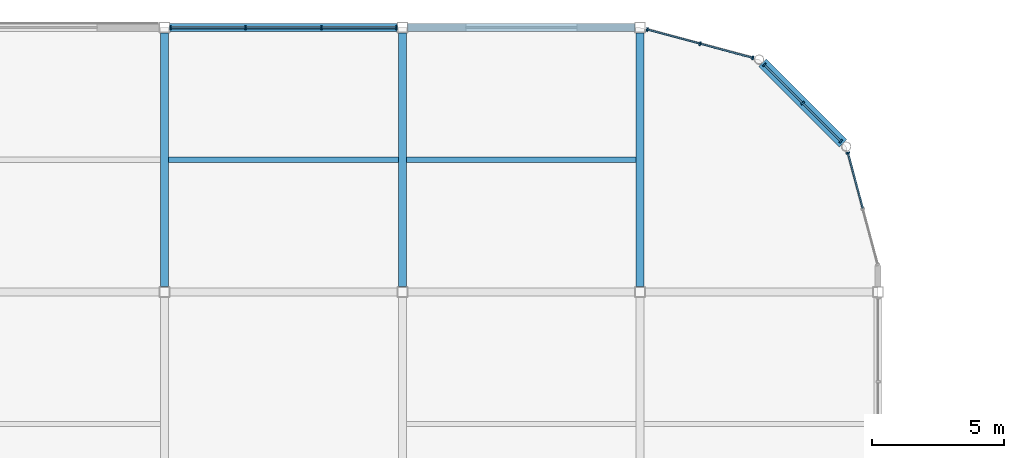
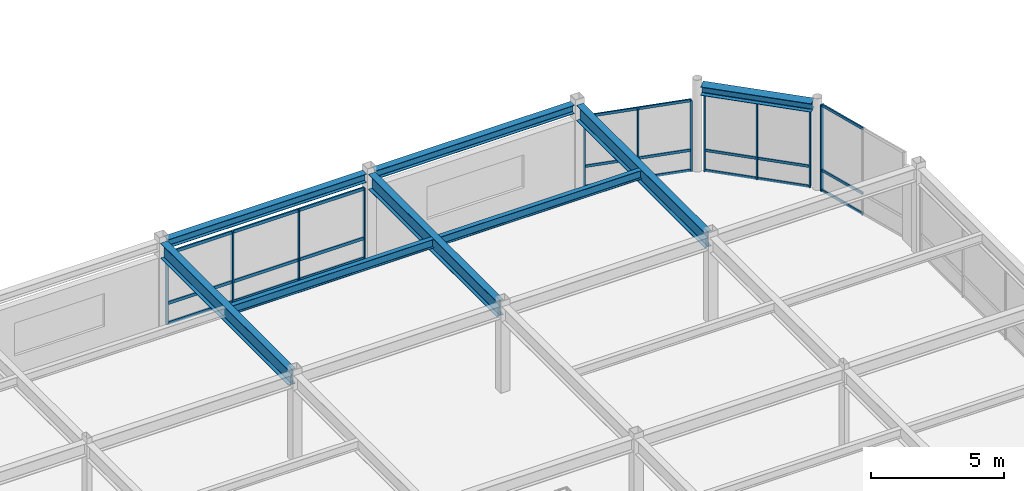
# One storey, part 51 of 108: 35 members, 8 beams, 4 elements without a shape of their own.
"""IFC4 building model written with IfcOpenShell, lengths in metres."""

from ifc_helpers import new_model, si_unit, direction, frame, origin, origin_2d, place, context, subcontext, project, spatial, rectangle, i_section, extrude, material, material_profile, profile_set, type_object, element, aggregate, save


model = new_model("IFC4")

# Units and contexts
model_context = context("Model", 3, precision=1e-05, world=origin(), true_north=direction((0.0, 1.0)))
body_context = subcontext(model_context, "Body", "Model", "MODEL_VIEW")
ifc_project = project(units=[si_unit("LENGTHUNIT", "METRE"), si_unit("AREAUNIT", "SQUARE_METRE"), si_unit("VOLUMEUNIT", "CUBIC_METRE"), si_unit("PLANEANGLEUNIT", "RADIAN"), si_unit("MASSUNIT", "GRAM", prefix="KILO")], contexts=[model_context])

# Site, building, storey
site_placement = place(None, origin())
site = spatial("IfcSite", under=ifc_project, at=site_placement, CompositionType="ELEMENT")
building_placement = place(site_placement, origin())
building = spatial("IfcBuilding", under=site, at=building_placement, Name="Suzunagisa Mobility Hub", CompositionType="ELEMENT")
storey_placement = place(building_placement, frame((0.0, 0.0, 9.300048828125)))
storey = spatial("IfcBuildingStorey", under=building, at=storey_placement, Name="L02", CompositionType="ELEMENT", Elevation=9.300048828125)

# Curtain wall, members
ifc_material_1 = material(Name="Thermally Broken Anodized Aluminum and Low-E Glazing", Category="aluminium")
curtain_wall_type_1 = type_object("IfcCurtainWallType", Name="Unitised Curtain Wall CW-18 8500x3200", PredefinedType="USERDEFINED", material=ifc_material_1)
curtain_wall_1_placement = place(storey_placement, origin())
curtain_wall_1 = element("IfcCurtainWall", 1, at=curtain_wall_1_placement, inside=storey, type_object=curtain_wall_type_1, Name="L02 Unitised Curtain Wall CW-116", ObjectType="UNITISED CURTAIN WALL", PredefinedType="USERDEFINED")
ifc_material_2 = material(Name="Anodized Aluminum 6063-T6", Category="aluminium")
ifc_material_profile_1 = material_profile(ifc_material_2, rectangle(XDim=0.06494140625, YDim=0.139892578125, at=origin_2d()), Name="TRAN-65x140")
ifc_profile_set_1 = profile_set([ifc_material_profile_1], Name="Anodized Aluminum 6063-T6")
member_type_1 = type_object("IfcMemberType", Name="Curtain Wall Framing CM-01 TRAN-65x140", PredefinedType="USERDEFINED", material=ifc_profile_set_1)
member_1_placement = place(storey_placement, frame((107.741943359375, 118.0, 0.032470703125), z_axis=(-1.0, 0.0, 0.0), x_axis=(0.0, -1.0, 0.0)))
member_1 = element("IfcMember", 2, at=member_1_placement, type_object=member_type_1, Name="Curtain Wall Transom 116-T1.1", ObjectType="TRANSOM", PredefinedType="USERDEFINED", context=body_context, shape_type="SweptSolid", body=[
    extrude(rectangle(XDim=0.06494140625, YDim=0.139892578125, at=origin_2d()), origin(), (0.0, 0.0, 1.0), 2.78076171875),
])
member_2_placement = place(storey_placement, frame((107.741943359375, 118.0, 0.949951171875), z_axis=(-1.0, 0.0, 0.0), x_axis=(0.0, -1.0, 0.0)))
member_2 = element("IfcMember", 3, at=member_2_placement, type_object=member_type_1, Name="Curtain Wall Transom 116-T1.2", ObjectType="TRANSOM", PredefinedType="USERDEFINED", context=body_context, shape_type="SweptSolid", body=[
    extrude(rectangle(XDim=0.06494140625, YDim=0.139892578125, at=origin_2d()), origin(), (0.0, 0.0, 1.0), 2.78076171875),
])
member_3_placement = place(storey_placement, frame((107.741943359375, 118.0, 3.217529296875), z_axis=(-1.0, 0.0, 0.0), x_axis=(0.0, -1.0, 0.0)))
member_3 = element("IfcMember", 4, at=member_3_placement, type_object=member_type_1, Name="Curtain Wall Transom 116-T1.3", ObjectType="TRANSOM", PredefinedType="USERDEFINED", context=body_context, shape_type="SweptSolid", body=[
    extrude(rectangle(XDim=0.06494140625, YDim=0.139892578125, at=origin_2d()), origin(), (0.0, 0.0, 1.0), 2.78076171875),
])
member_4_placement = place(storey_placement, frame((104.9052734375, 118.0, 0.032470703125), z_axis=(-1.0, 0.0, 0.0), x_axis=(0.0, -1.0, 0.0)))
member_4 = element("IfcMember", 5, at=member_4_placement, type_object=member_type_1, Name="Curtain Wall Transom 116-T2.1", ObjectType="TRANSOM", PredefinedType="USERDEFINED", context=body_context, shape_type="SweptSolid", body=[
    extrude(rectangle(XDim=0.06494140625, YDim=0.139892578125, at=origin_2d()), origin(), (0.0, 0.0, 1.0), 2.810546875),
])
member_5_placement = place(storey_placement, frame((104.9052734375, 118.0, 0.949951171875), z_axis=(-1.0, 0.0, 0.0), x_axis=(0.0, -1.0, 0.0)))
member_5 = element("IfcMember", 6, at=member_5_placement, type_object=member_type_1, Name="Curtain Wall Transom 116-T2.2", ObjectType="TRANSOM", PredefinedType="USERDEFINED", context=body_context, shape_type="SweptSolid", body=[
    extrude(rectangle(XDim=0.06494140625, YDim=0.139892578125, at=origin_2d()), origin(), (0.0, 0.0, 1.0), 2.810546875),
])
member_6_placement = place(storey_placement, frame((104.9052734375, 118.0, 3.217529296875), z_axis=(-1.0, 0.0, 0.0), x_axis=(0.0, -1.0, 0.0)))
member_6 = element("IfcMember", 7, at=member_6_placement, type_object=member_type_1, Name="Curtain Wall Transom 116-T2.3", ObjectType="TRANSOM", PredefinedType="USERDEFINED", context=body_context, shape_type="SweptSolid", body=[
    extrude(rectangle(XDim=0.06494140625, YDim=0.139892578125, at=origin_2d()), origin(), (0.0, 0.0, 1.0), 2.810546875),
])
member_7_placement = place(storey_placement, frame((102.038818359375, 118.0, 0.032470703125), z_axis=(-1.0, 0.0, 0.0), x_axis=(0.0, -1.0, 0.0)))
member_7 = element("IfcMember", 8, at=member_7_placement, type_object=member_type_1, Name="Curtain Wall Transom 116-T3.1", ObjectType="TRANSOM", PredefinedType="USERDEFINED", context=body_context, shape_type="SweptSolid", body=[
    extrude(rectangle(XDim=0.06494140625, YDim=0.139892578125, at=origin_2d()), origin(), (0.0, 0.0, 1.0), 2.78076171875),
])
member_8_placement = place(storey_placement, frame((102.038818359375, 118.0, 0.949951171875), z_axis=(-1.0, 0.0, 0.0), x_axis=(0.0, -1.0, 0.0)))
member_8 = element("IfcMember", 9, at=member_8_placement, type_object=member_type_1, Name="Curtain Wall Transom 116-T3.2", ObjectType="TRANSOM", PredefinedType="USERDEFINED", context=body_context, shape_type="SweptSolid", body=[
    extrude(rectangle(XDim=0.06494140625, YDim=0.139892578125, at=origin_2d()), origin(), (0.0, 0.0, 1.0), 2.78076171875),
])
member_9_placement = place(storey_placement, frame((102.038818359375, 118.0, 3.217529296875), z_axis=(-1.0, 0.0, 0.0), x_axis=(0.0, -1.0, 0.0)))
member_9 = element("IfcMember", 10, at=member_9_placement, type_object=member_type_1, Name="Curtain Wall Transom 116-T3.3", ObjectType="TRANSOM", PredefinedType="USERDEFINED", context=body_context, shape_type="SweptSolid", body=[
    extrude(rectangle(XDim=0.06494140625, YDim=0.139892578125, at=origin_2d()), origin(), (0.0, 0.0, 1.0), 2.78076171875),
])

curtain_wall_type_2 = type_object("IfcCurtainWallType", Name="Unitised Curtain Wall CW-42 4500x4000", PredefinedType="USERDEFINED", material=ifc_material_1)
curtain_wall_2_placement = place(storey_placement, origin())
curtain_wall_2 = element("IfcCurtainWall", 11, at=curtain_wall_2_placement, inside=storey, type_object=curtain_wall_type_2, Name="L02 Unitised Curtain Wall CW-113", ObjectType="UNITISED CURTAIN WALL", PredefinedType="USERDEFINED")
ifc_material_profile_2 = material_profile(ifc_material_2, rectangle(XDim=0.06005859375, YDim=0.1201171875, at=origin_2d()), Name="TRAN-60x120")
ifc_profile_set_2 = profile_set([ifc_material_profile_2], Name="Anodized Aluminum 6063-T6")
member_type_2 = type_object("IfcMemberType", Name="Curtain Wall Framing CM-02 TRAN-60x120", PredefinedType="USERDEFINED", material=ifc_profile_set_2)
member_10_placement = place(storey_placement, frame((125.41796875, 111.171875, 0.030029296875), z_axis=(-0.258837087522, 0.965920991657, 0.0), x_axis=(-0.965920991657, -0.258837087522, 0.0)))
member_10 = element("IfcMember", 12, at=member_10_placement, type_object=member_type_2, Name="Curtain Wall Transom 113-T2.1", ObjectType="TRANSOM", PredefinedType="USERDEFINED", context=body_context, shape_type="SweptSolid", body=[
    extrude(rectangle(XDim=0.06005859375, YDim=0.1201171875, at=origin_2d()), origin(), (0.0, 0.0, 1.0), 2.134521484375),
])
member_11_placement = place(storey_placement, frame((125.41796875, 111.171875, 0.949951171875), z_axis=(-0.258837087522, 0.965920991657, 0.0), x_axis=(-0.965920991657, -0.258837087522, 0.0)))
member_11 = element("IfcMember", 13, at=member_11_placement, type_object=member_type_2, Name="Curtain Wall Transom 113-T2.2", ObjectType="TRANSOM", PredefinedType="USERDEFINED", context=body_context, shape_type="SweptSolid", body=[
    extrude(rectangle(XDim=0.06005859375, YDim=0.1201171875, at=origin_2d()), origin(), (0.0, 0.0, 1.0), 2.134521484375),
])
member_12_placement = place(storey_placement, frame((125.41796875, 111.171875, 3.919921875), z_axis=(-0.258837087522, 0.965920991657, 0.0), x_axis=(-0.965920991657, -0.258837087522, 0.0)))
member_12 = element("IfcMember", 14, at=member_12_placement, type_object=member_type_2, Name="Curtain Wall Transom 113-T2.3", ObjectType="TRANSOM", PredefinedType="USERDEFINED", context=body_context, shape_type="SweptSolid", body=[
    extrude(rectangle(XDim=0.06005859375, YDim=0.1201171875, at=origin_2d()), origin(), (0.0, 0.0, 1.0), 2.134521484375),
])

curtain_wall_type_3 = type_object("IfcCurtainWallType", Name="Unitised Curtain Wall CW-44 4250x3600", PredefinedType="USERDEFINED", material=ifc_material_1)
curtain_wall_3_placement = place(storey_placement, origin())
curtain_wall_3 = element("IfcCurtainWall", 15, at=curtain_wall_3_placement, inside=storey, type_object=curtain_wall_type_3, Name="L02 Unitised Curtain Wall CW-114", ObjectType="UNITISED CURTAIN WALL", PredefinedType="USERDEFINED")
member_13_placement = place(storey_placement, frame((124.575439453125, 113.71875, 0.030029296875), z_axis=(-0.707106781187, 0.707106781187, 0.0), x_axis=(-0.707106781187, -0.707106781187, 0.0)))
member_13 = element("IfcMember", 16, at=member_13_placement, type_object=member_type_2, Name="Curtain Wall Transom 114-T1.1", ObjectType="TRANSOM", PredefinedType="USERDEFINED", context=body_context, shape_type="SweptSolid", body=[
    extrude(rectangle(XDim=0.06005859375, YDim=0.1201171875, at=origin_2d()), origin(), (0.0, 0.0, 1.0), 1.991943359375),
])
member_14_placement = place(storey_placement, frame((124.575439453125, 113.71875, 0.949951171875), z_axis=(-0.707106781187, 0.707106781187, 0.0), x_axis=(-0.707106781187, -0.707106781187, 0.0)))
member_14 = element("IfcMember", 17, at=member_14_placement, type_object=member_type_2, Name="Curtain Wall Transom 114-T1.2", ObjectType="TRANSOM", PredefinedType="USERDEFINED", context=body_context, shape_type="SweptSolid", body=[
    extrude(rectangle(XDim=0.06005859375, YDim=0.1201171875, at=origin_2d()), origin(), (0.0, 0.0, 1.0), 1.991943359375),
])
member_15_placement = place(storey_placement, frame((124.575439453125, 113.71875, 3.52001953125), z_axis=(-0.707106781187, 0.707106781187, 0.0), x_axis=(-0.707106781187, -0.707106781187, 0.0)))
member_15 = element("IfcMember", 18, at=member_15_placement, type_object=member_type_2, Name="Curtain Wall Transom 114-T1.3", ObjectType="TRANSOM", PredefinedType="USERDEFINED", context=body_context, shape_type="SweptSolid", body=[
    extrude(rectangle(XDim=0.06005859375, YDim=0.1201171875, at=origin_2d()), origin(), (0.0, 0.0, 1.0), 1.991943359375),
])
member_16_placement = place(storey_placement, frame((123.127197265625, 115.1669921875, 0.030029296875), z_axis=(-0.707106781187, 0.707106781187, 0.0), x_axis=(-0.707106781187, -0.707106781187, 0.0)))
member_16 = element("IfcMember", 19, at=member_16_placement, type_object=member_type_2, Name="Curtain Wall Transom 114-T2.1", ObjectType="TRANSOM", PredefinedType="USERDEFINED", context=body_context, shape_type="SweptSolid", body=[
    extrude(rectangle(XDim=0.06005859375, YDim=0.1201171875, at=origin_2d()), origin(), (0.0, 0.0, 1.0), 1.991943359375),
])
member_17_placement = place(storey_placement, frame((123.127197265625, 115.1669921875, 0.949951171875), z_axis=(-0.707106781187, 0.707106781187, 0.0), x_axis=(-0.707106781187, -0.707106781187, 0.0)))
member_17 = element("IfcMember", 20, at=member_17_placement, type_object=member_type_2, Name="Curtain Wall Transom 114-T2.2", ObjectType="TRANSOM", PredefinedType="USERDEFINED", context=body_context, shape_type="SweptSolid", body=[
    extrude(rectangle(XDim=0.06005859375, YDim=0.1201171875, at=origin_2d()), origin(), (0.0, 0.0, 1.0), 1.991943359375),
])
member_18_placement = place(storey_placement, frame((123.127197265625, 115.1669921875, 3.52001953125), z_axis=(-0.707106781187, 0.707106781187, 0.0), x_axis=(-0.707106781187, -0.707106781187, 0.0)))
member_18 = element("IfcMember", 21, at=member_18_placement, type_object=member_type_2, Name="Curtain Wall Transom 114-T2.3", ObjectType="TRANSOM", PredefinedType="USERDEFINED", context=body_context, shape_type="SweptSolid", body=[
    extrude(rectangle(XDim=0.06005859375, YDim=0.1201171875, at=origin_2d()), origin(), (0.0, 0.0, 1.0), 1.991943359375),
])

curtain_wall_type_4 = type_object("IfcCurtainWallType", Name="Unitised Curtain Wall CW-01 4250x3200", PredefinedType="USERDEFINED", material=ifc_material_1)
curtain_wall_4_placement = place(storey_placement, origin())
curtain_wall_4 = element("IfcCurtainWall", 22, at=curtain_wall_4_placement, inside=storey, type_object=curtain_wall_type_4, Name="L02 Unitised Curtain Wall CW-115", ObjectType="UNITISED CURTAIN WALL", PredefinedType="USERDEFINED")
member_19_placement = place(storey_placement, frame((121.233642578125, 116.865478515625, 0.030029296875), z_axis=(-0.965891707476, 0.258946344693, 0.0), x_axis=(-0.258946344693, -0.965891707476, 0.0)))
member_19 = element("IfcMember", 23, at=member_19_placement, type_object=member_type_2, Name="Curtain Wall Transom 115-T1.1", ObjectType="TRANSOM", PredefinedType="USERDEFINED", context=body_context, shape_type="SweptSolid", body=[
    extrude(rectangle(XDim=0.06005859375, YDim=0.1201171875, at=origin_2d()), origin(), (0.0, 0.0, 1.0), 2.011962890625),
])
member_20_placement = place(storey_placement, frame((121.233642578125, 116.865478515625, 0.949951171875), z_axis=(-0.965891707476, 0.258946344693, 0.0), x_axis=(-0.258946344693, -0.965891707476, 0.0)))
member_20 = element("IfcMember", 24, at=member_20_placement, type_object=member_type_2, Name="Curtain Wall Transom 115-T1.2", ObjectType="TRANSOM", PredefinedType="USERDEFINED", context=body_context, shape_type="SweptSolid", body=[
    extrude(rectangle(XDim=0.06005859375, YDim=0.1201171875, at=origin_2d()), origin(), (0.0, 0.0, 1.0), 2.011962890625),
])
member_21_placement = place(storey_placement, frame((121.233642578125, 116.865478515625, 3.219970703125), z_axis=(-0.965891707476, 0.258946344693, 0.0), x_axis=(-0.258946344693, -0.965891707476, 0.0)))
member_21 = element("IfcMember", 25, at=member_21_placement, type_object=member_type_2, Name="Curtain Wall Transom 115-T1.3", ObjectType="TRANSOM", PredefinedType="USERDEFINED", context=body_context, shape_type="SweptSolid", body=[
    extrude(rectangle(XDim=0.06005859375, YDim=0.1201171875, at=origin_2d()), origin(), (0.0, 0.0, 1.0), 2.011962890625),
])
member_22_placement = place(storey_placement, frame((119.236083984375, 117.40087890625, 0.030029296875), z_axis=(-0.965930179601, 0.258802797775, 0.0), x_axis=(-0.258802797775, -0.965930179601, 0.0)))
member_22 = element("IfcMember", 26, at=member_22_placement, type_object=member_type_2, Name="Curtain Wall Transom 115-T2.1", ObjectType="TRANSOM", PredefinedType="USERDEFINED", context=body_context, shape_type="SweptSolid", body=[
    extrude(rectangle(XDim=0.06005859375, YDim=0.1201171875, at=origin_2d()), origin(), (0.0, 0.0, 1.0), 2.01220703125),
])
member_23_placement = place(storey_placement, frame((119.236083984375, 117.40087890625, 0.949951171875), z_axis=(-0.965930179601, 0.258802797775, 0.0), x_axis=(-0.258802797775, -0.965930179601, 0.0)))
member_23 = element("IfcMember", 27, at=member_23_placement, type_object=member_type_2, Name="Curtain Wall Transom 115-T2.2", ObjectType="TRANSOM", PredefinedType="USERDEFINED", context=body_context, shape_type="SweptSolid", body=[
    extrude(rectangle(XDim=0.06005859375, YDim=0.1201171875, at=origin_2d()), origin(), (0.0, 0.0, 1.0), 2.01220703125),
])
member_24_placement = place(storey_placement, frame((119.236083984375, 117.40087890625, 3.219970703125), z_axis=(-0.965930179601, 0.258802797775, 0.0), x_axis=(-0.258802797775, -0.965930179601, 0.0)))
member_24 = element("IfcMember", 28, at=member_24_placement, type_object=member_type_2, Name="Curtain Wall Transom 115-T2.3", ObjectType="TRANSOM", PredefinedType="USERDEFINED", context=body_context, shape_type="SweptSolid", body=[
    extrude(rectangle(XDim=0.06005859375, YDim=0.1201171875, at=origin_2d()), origin(), (0.0, 0.0, 1.0), 2.01220703125),
])

# Member
ifc_material_profile_3 = material_profile(ifc_material_2, rectangle(XDim=0.06005859375, YDim=0.14990234375, at=origin_2d()), Name="MULL-60x150")
ifc_profile_set_3 = profile_set([ifc_material_profile_3], Name="Anodized Aluminum 6063-T6")
member_type_3 = type_object("IfcMemberType", Name="Curtain Wall Framing CM-03 MULL-60x150", PredefinedType="MULLION", material=ifc_profile_set_3)
member_25_placement = place(storey_placement, frame((124.8583984375, 113.2607421875, 0.0), z_axis=(0.0, 0.0, 1.0), x_axis=(-0.258814496501, 0.965927045072, 0.0)))
member_25 = element("IfcMember", 29, at=member_25_placement, type_object=member_type_3, Name="Curtain Wall Mullion 113-M3", PredefinedType="MULLION", context=body_context, shape_type="SweptSolid", body=[
    extrude(rectangle(XDim=0.06005859375, YDim=0.14990234375, at=origin_2d()), origin(), (0.0, 0.0, 1.0), 3.949951171875),
])

aggregate(curtain_wall_2, [member_25, member_10, member_11, member_12])

member_26_placement = place(storey_placement, frame((124.59521484375, 113.698974609375, 0.0), z_axis=(0.0, 0.0, 1.0), x_axis=(-0.707106781187, 0.707106781187, 0.0)))
member_26 = element("IfcMember", 30, at=member_26_placement, type_object=member_type_3, Name="Curtain Wall Mullion 114-M1", PredefinedType="MULLION", context=body_context, shape_type="SweptSolid", body=[
    extrude(rectangle(XDim=0.06005859375, YDim=0.14990234375, at=origin_2d()), origin(), (0.0, 0.0, 1.0), 3.550048828125),
])

member_27_placement = place(storey_placement, frame((123.147216796875, 115.147216796875, 0.0), z_axis=(0.0, 0.0, 1.0), x_axis=(-0.707106781187, 0.707106781187, 0.0)))
member_27 = element("IfcMember", 31, at=member_27_placement, type_object=member_type_3, Name="Curtain Wall Mullion 114-M2", PredefinedType="MULLION", context=body_context, shape_type="SweptSolid", body=[
    extrude(rectangle(XDim=0.06005859375, YDim=0.14990234375, at=origin_2d()), origin(), (0.0, 0.0, 1.0), 3.550048828125),
])

member_28_placement = place(storey_placement, frame((121.698974609375, 116.59521484375, 0.0), z_axis=(0.0, 0.0, 1.0), x_axis=(-0.707106781187, 0.707106781187, 0.0)))
member_28 = element("IfcMember", 32, at=member_28_placement, type_object=member_type_3, Name="Curtain Wall Mullion 114-M3", PredefinedType="MULLION", context=body_context, shape_type="SweptSolid", body=[
    extrude(rectangle(XDim=0.06005859375, YDim=0.14990234375, at=origin_2d()), origin(), (0.0, 0.0, 1.0), 3.550048828125),
])

aggregate(curtain_wall_3, [member_26, member_27, member_28, member_13, member_14, member_15, member_16, member_17, member_18])

member_29_placement = place(storey_placement, frame((121.2607421875, 116.8583984375, 0.0), z_axis=(0.0, 0.0, 1.0), x_axis=(-0.965927308128, 0.25881351474, 0.0)))
member_29 = element("IfcMember", 33, at=member_29_placement, type_object=member_type_3, Name="Curtain Wall Mullion 115-M1", PredefinedType="MULLION", context=body_context, shape_type="SweptSolid", body=[
    extrude(rectangle(XDim=0.06005859375, YDim=0.14990234375, at=origin_2d()), origin(), (0.0, 0.0, 1.0), 3.25),
])

member_30_placement = place(storey_placement, frame((119.26318359375, 117.3935546875, 0.0), z_axis=(0.0, 0.0, 1.0), x_axis=(-0.965927308128, 0.25881351474, 0.0)))
member_30 = element("IfcMember", 34, at=member_30_placement, type_object=member_type_3, Name="Curtain Wall Mullion 115-M2", PredefinedType="MULLION", context=body_context, shape_type="SweptSolid", body=[
    extrude(rectangle(XDim=0.06005859375, YDim=0.14990234375, at=origin_2d()), origin(), (0.0, 0.0, 1.0), 3.25),
])

member_31_placement = place(storey_placement, frame((117.265625, 117.928955078125, 0.0), z_axis=(0.0, 0.0, 1.0), x_axis=(-0.965927308128, 0.25881351474, 0.0)))
member_31 = element("IfcMember", 35, at=member_31_placement, type_object=member_type_3, Name="Curtain Wall Mullion 115-M3", PredefinedType="MULLION", context=body_context, shape_type="SweptSolid", body=[
    extrude(rectangle(XDim=0.06005859375, YDim=0.14990234375, at=origin_2d()), origin(), (0.0, 0.0, 1.0), 3.25),
])

aggregate(curtain_wall_4, [member_29, member_30, member_31, member_19, member_20, member_21, member_22, member_23, member_24])

member_32_placement = place(storey_placement, frame((107.77001953125, 118.0, 0.0), z_axis=(0.0, 0.0, 1.0), x_axis=(-1.0, 0.0, 0.0)))
member_32 = element("IfcMember", 36, at=member_32_placement, type_object=member_type_3, Name="Curtain Wall Mullion 116-M1", PredefinedType="MULLION", context=body_context, shape_type="SweptSolid", body=[
    extrude(rectangle(XDim=0.06005859375, YDim=0.14990234375, at=origin_2d()), origin(), (0.0, 0.0, 1.0), 3.25),
])

member_33_placement = place(storey_placement, frame((104.933349609375, 118.0, 0.0), z_axis=(0.0, 0.0, 1.0), x_axis=(-1.0, 0.0, 0.0)))
member_33 = element("IfcMember", 37, at=member_33_placement, type_object=member_type_3, Name="Curtain Wall Mullion 116-M2", PredefinedType="MULLION", context=body_context, shape_type="SweptSolid", body=[
    extrude(rectangle(XDim=0.06005859375, YDim=0.14990234375, at=origin_2d()), origin(), (0.0, 0.0, 1.0), 3.25),
])

member_34_placement = place(storey_placement, frame((102.066650390625, 118.0, 0.0), z_axis=(0.0, 0.0, 1.0), x_axis=(-1.0, 0.0, 0.0)))
member_34 = element("IfcMember", 38, at=member_34_placement, type_object=member_type_3, Name="Curtain Wall Mullion 116-M3", PredefinedType="MULLION", context=body_context, shape_type="SweptSolid", body=[
    extrude(rectangle(XDim=0.06005859375, YDim=0.14990234375, at=origin_2d()), origin(), (0.0, 0.0, 1.0), 3.25),
])

member_35_placement = place(storey_placement, frame((99.22998046875, 118.0, 0.0), z_axis=(0.0, 0.0, 1.0), x_axis=(-1.0, 0.0, 0.0)))
member_35 = element("IfcMember", 39, at=member_35_placement, type_object=member_type_3, Name="Curtain Wall Mullion 116-M4", PredefinedType="MULLION", context=body_context, shape_type="SweptSolid", body=[
    extrude(rectangle(XDim=0.06005859375, YDim=0.14990234375, at=origin_2d()), origin(), (0.0, 0.0, 1.0), 3.25),
])

aggregate(curtain_wall_1, [member_32, member_33, member_34, member_35, member_1, member_2, member_3, member_4, member_5, member_6, member_7, member_8, member_9])

# Beams
ifc_material_3 = material(Name="Steel SN490B", Category="steel")
ifc_material_profile_4 = material_profile(ifc_material_3, i_section(OverallWidth=0.300048828125, OverallDepth=0.699951171875, WebThickness=0.012939453125, FlangeThickness=0.02392578125, FilletRadius=0.01806640625, at=origin_2d()), Name="H-700x300x13x24")
ifc_profile_set_4 = profile_set([ifc_material_profile_4], Name="Steel SN490B")
beam_type_1 = type_object("IfcBeamType", Name="Steel Beam BM-11 H-700x300x13x24", PredefinedType="BEAM", material=ifc_profile_set_4)
for number, where, z_axis, x_axis, name in (
    (40, (99.0, 108.196044921875, 3.599853515625), (0.0, 1.0, 0.0), (-1.0, 0.0, 0.0), "L02 Primary Girder GY-986"),
    (41, (108.0, 108.196044921875, 3.599853515625), (0.0, 1.0, 0.0), (-1.0, 0.0, 0.0), "L02 Primary Girder GY-990"),
    (42, (117.0, 108.196044921875, 3.599853515625), (0.0, 1.0, 0.0), (-1.0, 0.0, 0.0), "L02 Primary Girder GY-994"),
):
    element("IfcBeam", number, at=place(storey_placement, frame(where, z_axis=z_axis, x_axis=x_axis)), inside=storey, type_object=beam_type_1, Name=name, PredefinedType="BEAM", context=body_context, shape_type="SweptSolid", body=[
        extrude(i_section(OverallWidth=0.300048828125, OverallDepth=0.699951171875, WebThickness=0.012939453125, FlangeThickness=0.02392578125, FilletRadius=0.01806640625, at=origin_2d()), origin(), (0.0, 0.0, 1.0), 9.60791015625),
    ])
ifc_material_profile_5 = material_profile(ifc_material_3, i_section(OverallWidth=0.39990234375, OverallDepth=0.39990234375, WebThickness=0.012939453125, FlangeThickness=0.02099609375, FilletRadius=0.01611328125, at=origin_2d()), Name="H-400x400x13x21")
ifc_profile_set_5 = profile_set([ifc_material_profile_5], Name="Steel SN490B")
beam_type_2 = type_object("IfcBeamType", Name="Steel Beam BM-12 H-400x400x13x21", PredefinedType="SPANDREL", material=ifc_profile_set_5)
beam_placement = place(storey_placement, frame((124.66845703125, 113.625732421875, 3.75), z_axis=(-0.707106781187, 0.707106781187, 0.0), x_axis=(-0.707106781187, -0.707106781187, 0.0)))
element("IfcBeam", 43, at=beam_placement, inside=storey, type_object=beam_type_2, Name="L02 Streamline Prow Spandrel 998", PredefinedType="SPANDREL", context=body_context, shape_type="SweptSolid", body=[
    extrude(i_section(OverallWidth=0.39990234375, OverallDepth=0.39990234375, WebThickness=0.012939453125, FlangeThickness=0.02099609375, FilletRadius=0.01611328125, at=origin_2d()), origin(), (0.0, 0.0, 1.0), 4.302978515625),
])
ifc_material_profile_6 = material_profile(ifc_material_3, i_section(OverallWidth=0.300048828125, OverallDepth=0.389892578125, WebThickness=0.010009765625, FlangeThickness=0.01611328125, FilletRadius=0.012939453125, at=origin_2d()), Name="H-390x300x10x16")
ifc_profile_set_6 = profile_set([ifc_material_profile_6], Name="Steel SN490B")
beam_type_3 = type_object("IfcBeamType", Name="Steel Beam BM-13 H-390x300x10x16", PredefinedType="SPANDREL", material=ifc_profile_set_6)
for number, where, z_axis, x_axis, name in (
    (44, (99.196044921875, 118.0, 3.7548828125), (1.0, 0.0, 0.0), (0.0, 1.0, 0.0), "L02 Primary Girder GX-957"),
    (45, (108.196044921875, 118.0, 3.7548828125), (1.0, 0.0, 0.0), (0.0, 1.0, 0.0), "L02 Primary Girder GX-958"),
):
    element("IfcBeam", number, at=place(storey_placement, frame(where, z_axis=z_axis, x_axis=x_axis)), inside=storey, type_object=beam_type_3, Name=name, PredefinedType="SPANDREL", context=body_context, shape_type="SweptSolid", body=[
        extrude(i_section(OverallWidth=0.300048828125, OverallDepth=0.389892578125, WebThickness=0.010009765625, FlangeThickness=0.01611328125, FilletRadius=0.012939453125, at=origin_2d()), origin(), (0.0, 0.0, 1.0), 8.60791015625),
    ])
ifc_material_4 = material(Name="Steel SN400B", Category="steel")
ifc_material_profile_7 = material_profile(ifc_material_4, i_section(OverallWidth=0.199951171875, OverallDepth=0.39990234375, WebThickness=0.008056640625, FlangeThickness=0.012939453125, FilletRadius=0.012939453125, at=origin_2d()), Name="H-400x200x8x13")
ifc_profile_set_7 = profile_set([ifc_material_profile_7], Name="Steel SN400B")
beam_type_4 = type_object("IfcBeamType", Name="Steel Beam BM-14 H-400x200x8x13", PredefinedType="JOIST", material=ifc_profile_set_7)
for number, where, z_axis, x_axis, name in (
    (46, (99.14990234375, 113.0, 3.75), (1.0, 0.0, 0.0), (0.0, 1.0, 0.0), "L02 Composite Floor Joist J-1020"),
    (47, (108.14990234375, 113.0, 3.75), (1.0, 0.0, 0.0), (0.0, 1.0, 0.0), "L02 Composite Floor Joist J-1024"),
):
    element("IfcBeam", number, at=place(storey_placement, frame(where, z_axis=z_axis, x_axis=x_axis)), inside=storey, type_object=beam_type_4, Name=name, PredefinedType="JOIST", context=body_context, shape_type="SweptSolid", body=[
        extrude(i_section(OverallWidth=0.199951171875, OverallDepth=0.39990234375, WebThickness=0.008056640625, FlangeThickness=0.012939453125, FilletRadius=0.012939453125, at=origin_2d()), origin(), (0.0, 0.0, 1.0), 8.7001953125),
    ])

save(model, "model.ifc")
